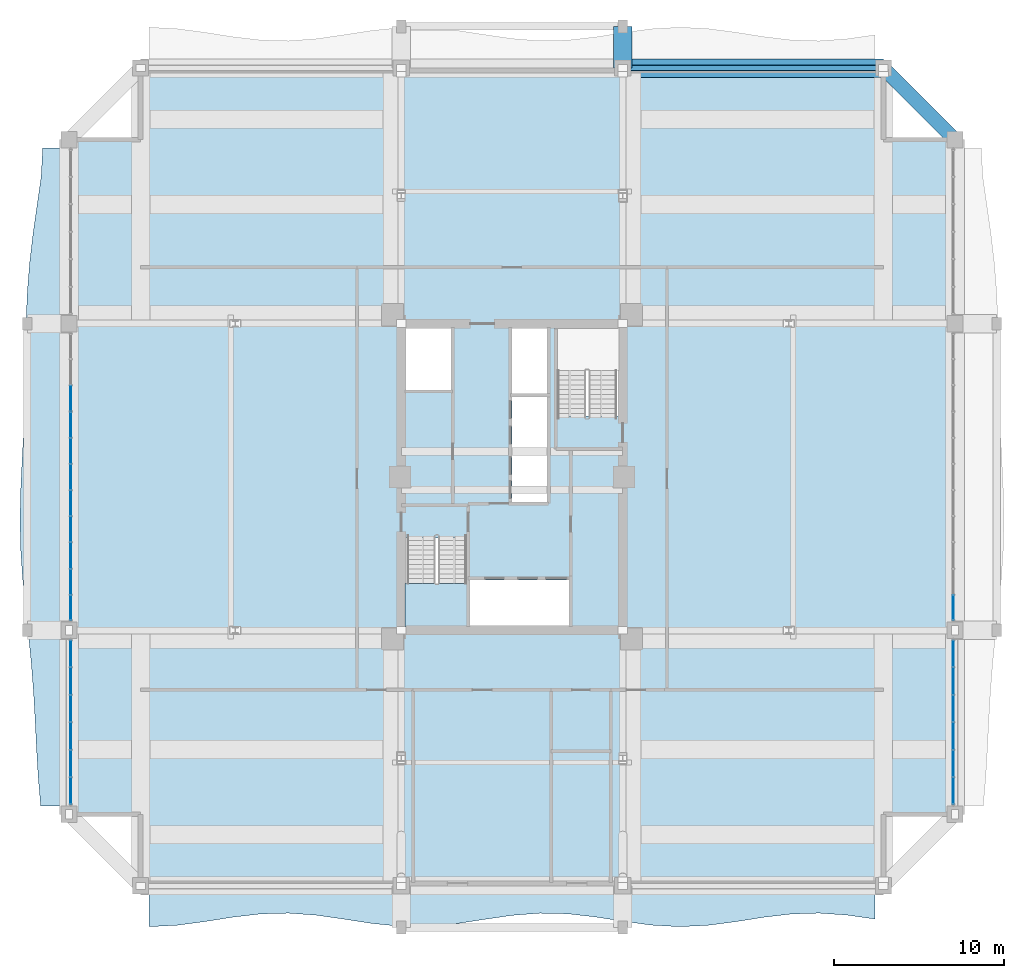
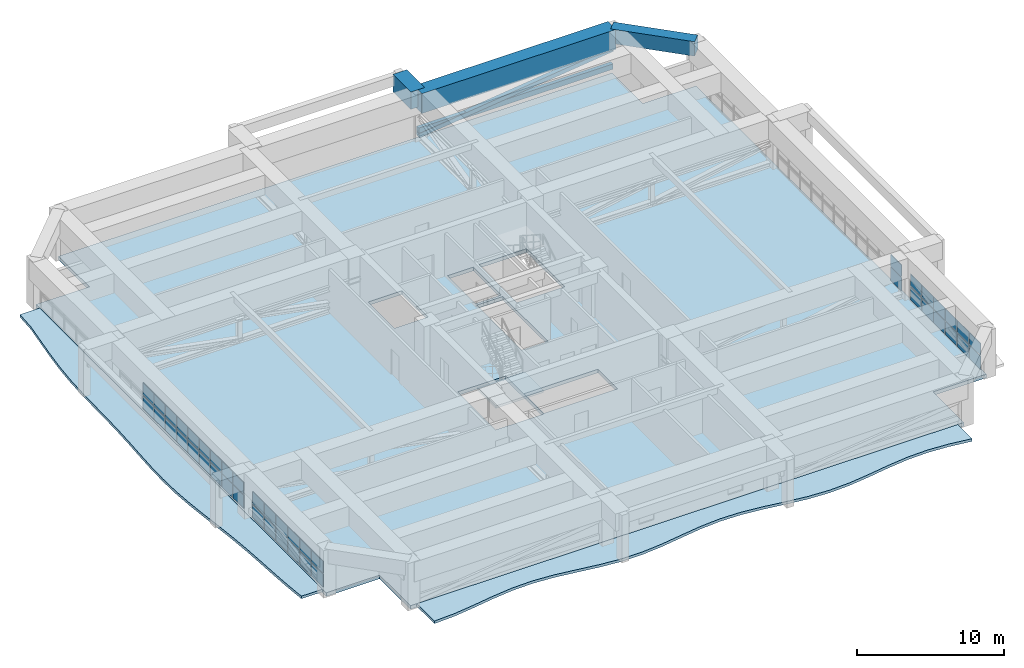
# One storey, part 26 of 35: 44 plates, 4 slabs, 3 beams, 2 members, 5 elements without a shape of their own.
"""IFC4 building model written with IfcOpenShell, lengths in metres."""

import ifcopenshell
import ifcopenshell.guid

model = None  # the IFC model being written
_history = None  # IfcOwnerHistory: only IFC2X3 demands one
_inside = {}  # id of a spatial element -> (the spatial element, [elements in it])
_under = {}  # id of a project, library or spatial element -> (it, [spatial elements below it])
_declared = {}  # id of a project -> (the project, [libraries it declares])
_typed = {}  # id of a type object -> (the type object, [elements of that type])
_made_of = {}  # id of a material, layer set ... -> (it, [elements and type objects made of it])


def new_model(schema):
    """Start an empty IFC model of exactly this schema.

    Asked for "IFC4X3", IfcOpenShell would pick the latest addendum, in which some entities
    have other attributes; the version numbers below select the first issue.
    IFC2X3 requires an IfcOwnerHistory on every rooted entity: one is made here for all.
    """
    global model, _history
    if schema == "IFC4X3":
        model = ifcopenshell.file(schema_version=(4, 3, 0, 0))
    else:
        model = ifcopenshell.file(schema=schema)
    _inside.clear()
    _under.clear()
    _declared.clear()
    _typed.clear()
    _made_of.clear()
    _history = None
    if model.schema == "IFC2X3":
        org = make("IfcOrganization", Name="unknown")
        user = make(
            "IfcPersonAndOrganization",
            ThePerson=make("IfcPerson", FamilyName="unknown"),
            TheOrganization=org,
        )
        app = make(
            "IfcApplication",
            ApplicationDeveloper=org,
            Version="unknown",
            ApplicationFullName="unknown",
            ApplicationIdentifier="unknown",
        )
        _history = make(
            "IfcOwnerHistory",
            OwningUser=user,
            OwningApplication=app,
            ChangeAction="ADDED",
            CreationDate=0,
        )
    return model


def make(cls, **values):
    """One entity of the class cls with the attributes given. An attribute that is None is left unset."""
    return model.create_entity(
        cls, **{name: value for name, value in values.items() if value is not None}
    )


def rooted(cls, **values):
    """An entity with a GlobalId (a new one), such as an element, a storey or a relation."""
    return make(cls, GlobalId=ifcopenshell.guid.new(), OwnerHistory=_history, **values)


def si_unit(unit_type, name, prefix=None):
    """IfcSIUnit, for example si_unit("LENGTHUNIT", "METRE", prefix="MILLI")."""
    return make("IfcSIUnit", UnitType=unit_type, Prefix=prefix, Name=name)


def assignment(units):
    """IfcUnitAssignment: the units of a project."""
    return None if units is None else make("IfcUnitAssignment", Units=units)


def point(xyz):
    """IfcCartesianPoint."""
    return None if xyz is None else make("IfcCartesianPoint", Coordinates=xyz)


def direction(xyz):
    """IfcDirection."""
    return None if xyz is None else make("IfcDirection", DirectionRatios=xyz)


def frame(location, z_axis=None, x_axis=None):
    """IfcAxis2Placement3D, a coordinate frame: its origin and axes. An axis left out is left unset."""
    return make(
        "IfcAxis2Placement3D",
        Location=point(location),
        Axis=direction(z_axis),
        RefDirection=direction(x_axis),
    )


def frame_2d(location, x_axis=None):
    """IfcAxis2Placement2D, a coordinate frame in the plane: its origin and x axis."""
    return make(
        "IfcAxis2Placement2D", Location=point(location), RefDirection=direction(x_axis)
    )


def origin():
    """The frame at (0, 0, 0) with its axes left unset."""
    return frame((0.0, 0.0, 0.0))


def origin_2d():
    """The frame at (0, 0) in the plane with its x axis left unset."""
    return frame_2d((0.0, 0.0))


def place(relative_to, where):
    """IfcLocalPlacement: puts the frame where relative to a parent placement (None: the world)."""
    return make(
        "IfcLocalPlacement", PlacementRelTo=relative_to, RelativePlacement=where
    )


def context(
    kind, dimensions, precision=None, world=None, true_north=None, identifier=None
):
    """IfcGeometricRepresentationContext, for example the 3D "Model" context."""
    return make(
        "IfcGeometricRepresentationContext",
        ContextIdentifier=identifier,
        ContextType=kind,
        CoordinateSpaceDimension=dimensions,
        Precision=precision,
        WorldCoordinateSystem=world,
        TrueNorth=true_north,
    )


def subcontext(parent, identifier, kind, view, scale=None):
    """IfcGeometricRepresentationSubContext, for example "Body" below "Model"."""
    return make(
        "IfcGeometricRepresentationSubContext",
        ContextIdentifier=identifier,
        ContextType=kind,
        ParentContext=parent,
        TargetScale=scale,
        TargetView=view,
    )


def project(units=None, contexts=None):
    """IfcProject with its units and contexts."""
    return rooted(
        "IfcProject",
        Name="project",
        RepresentationContexts=contexts,
        UnitsInContext=assignment(units),
    )


def spatial(cls, under=None, at=None, **own):
    """A site, building, storey or space (cls), placed at a placement, below another one or the project."""
    s = rooted(cls, ObjectPlacement=at, **own)
    if under is not None:
        _under.setdefault(under.id(), (under, []))[1].append(s)
    return s


def polyline(points):
    """IfcPolyline through the points."""
    return make("IfcPolyline", Points=[point(p) for p in points])


def profile(cls, at=None, kind="AREA", **sizes):
    """A parametric profile (cls). Its sizes go by their IFC names, for example OverallWidth=200.0."""
    return make(cls, ProfileType=kind, Position=at, **sizes)


def rectangle(**sizes):
    """IfcRectangleProfileDef."""
    return profile("IfcRectangleProfileDef", **sizes)


def hollow_rectangle(**sizes):
    """IfcRectangleHollowProfileDef."""
    return profile("IfcRectangleHollowProfileDef", **sizes)


def outline(outer, holes=None, kind="AREA"):
    """IfcArbitraryClosedProfileDef: a profile drawn as a closed curve; with holes, ...WithVoids."""
    if holes is None:
        return make("IfcArbitraryClosedProfileDef", ProfileType=kind, OuterCurve=outer)
    return make(
        "IfcArbitraryProfileDefWithVoids",
        ProfileType=kind,
        OuterCurve=outer,
        InnerCurves=holes,
    )


def extrude(swept, where, along, depth):
    """IfcExtrudedAreaSolid: the profile swept, set in the frame where, extruded along a direction by depth."""
    return make(
        "IfcExtrudedAreaSolid",
        SweptArea=swept,
        Position=where,
        ExtrudedDirection=direction(along),
        Depth=depth,
    )


def shape(context_of_items, identifier, shape_type, items):
    """IfcShapeRepresentation: the items that make up one representation, for example the "Body"."""
    return make(
        "IfcShapeRepresentation",
        ContextOfItems=context_of_items,
        RepresentationIdentifier=identifier,
        RepresentationType=shape_type,
        Items=items,
    )


def source(mapping_origin, context_of_items, identifier, shape_type, items):
    """IfcRepresentationMap: a shape defined once, which mapped items show again and again."""
    return make(
        "IfcRepresentationMap",
        MappingOrigin=mapping_origin,
        MappedRepresentation=shape(context_of_items, identifier, shape_type, items),
    )


def transform(
    local_origin,
    x_axis=None,
    y_axis=None,
    z_axis=None,
    scale=None,
    scale2=None,
    scale3=None,
    uniform=True,
):
    """IfcCartesianTransformationOperator3D, or its non-uniform kind. x_axis, y_axis, z_axis: its Axis1, 2, 3."""
    if uniform:
        return make(
            "IfcCartesianTransformationOperator3D",
            Axis1=direction(x_axis),
            Axis2=direction(y_axis),
            LocalOrigin=point(local_origin),
            Scale=scale,
            Axis3=direction(z_axis),
        )
    return make(
        "IfcCartesianTransformationOperator3DnonUniform",
        Axis1=direction(x_axis),
        Axis2=direction(y_axis),
        LocalOrigin=point(local_origin),
        Scale=scale,
        Axis3=direction(z_axis),
        Scale2=scale2,
        Scale3=scale3,
    )


def mapped(mapping_source, mapping_target):
    """IfcMappedItem: shows the shape of a source again, moved by a transform."""
    return make(
        "IfcMappedItem", MappingSource=mapping_source, MappingTarget=mapping_target
    )


def material(Name=None, Category=None):
    """IfcMaterial."""
    return make("IfcMaterial", Name=Name, Category=Category)


def layer(
    of_material, thickness, ventilated=None, Name=None, Category=None, Priority=None
):
    """IfcMaterialLayer: one layer of a wall or slab, of a material (None: an air gap)."""
    return make(
        "IfcMaterialLayer",
        Material=of_material,
        LayerThickness=thickness,
        IsVentilated=ventilated,
        Name=Name,
        Category=Category,
        Priority=Priority,
    )


def layer_set(layers, Name=None):
    """IfcMaterialLayerSet."""
    return make("IfcMaterialLayerSet", MaterialLayers=layers, LayerSetName=Name)


def material_profile(
    of_material, cross_section, Name=None, Category=None, Priority=None
):
    """IfcMaterialProfile: a cross section and its material."""
    return make(
        "IfcMaterialProfile",
        Name=Name,
        Material=of_material,
        Profile=cross_section,
        Priority=Priority,
        Category=Category,
    )


def profile_set(profiles, Name=None, composite=None):
    """IfcMaterialProfileSet."""
    return make(
        "IfcMaterialProfileSet",
        Name=Name,
        MaterialProfiles=profiles,
        CompositeProfile=composite,
    )


def made_of(thing, what):
    """Note that an element or type object is made of a material, layer set ...; save() writes the relation."""
    if what is not None:
        _made_of.setdefault(what.id(), (what, []))[1].append(thing)
    return thing


def type_object(cls, material=None, **own):
    """A type object (cls), such as IfcWallType, which elements share."""
    return made_of(rooted(cls, **own), material)


def element(
    cls,
    number,
    at=None,
    inside=None,
    cuts=None,
    type_object=None,
    material=None,
    context=None,
    identifier="Body",
    shape_type=None,
    held_by="IfcProductDefinitionShape",
    body=None,
    shapes=None,
    **own,
):
    """One element of the class cls, such as IfcWall. Its Tag is "e" and its number.

    at: its placement. inside: the storey or other place that contains it. cuts: it is an
    opening in that element (IfcRelVoidsElement). A single representation is given by context,
    identifier, shape_type and body (its items); several are given by shapes. held_by: the class
    of the entity that holds the representations. save() writes the other relations.
    """
    e = rooted(cls, Tag="e%d" % number, ObjectPlacement=at, **own)
    if body is not None:
        shapes = [shape(context, identifier, shape_type, body)]
    if shapes is not None:
        e.Representation = make(held_by, Representations=shapes)
    if inside is not None:
        _inside.setdefault(inside.id(), (inside, []))[1].append(e)
    if cuts is not None:
        rooted(
            "IfcRelVoidsElement", RelatingBuildingElement=cuts, RelatedOpeningElement=e
        )
    if type_object is not None:
        _typed.setdefault(type_object.id(), (type_object, []))[1].append(e)
    return made_of(e, material)


def aggregate(whole, parts):
    """IfcRelAggregates: a whole, such as a stair, and the parts it consists of."""
    return rooted("IfcRelAggregates", RelatingObject=whole, RelatedObjects=parts)


def save(model, path):
    """Write the relations noted so far, then the file.

    IfcRelAggregates (storeys below a building ...), IfcRelContainedInSpatialStructure (elements
    in a storey), IfcRelDefinesByType, IfcRelAssociatesMaterial and IfcRelDeclares: one each for
    every whole, place, type object, material and project.
    """
    for whole, parts in _under.values():
        aggregate(whole, parts)
    for where, things in _inside.values():
        rooted(
            "IfcRelContainedInSpatialStructure",
            RelatedElements=things,
            RelatingStructure=where,
        )
    for kind, things in _typed.values():
        rooted("IfcRelDefinesByType", RelatedObjects=things, RelatingType=kind)
    for what, things in _made_of.values():
        rooted("IfcRelAssociatesMaterial", RelatedObjects=things, RelatingMaterial=what)
    for by, libraries in _declared.values():
        rooted("IfcRelDeclares", RelatingContext=by, RelatedDefinitions=libraries)
    model.write(path)


model = new_model("IFC4")

# Units and contexts
model_context = context("Model", 3, precision=1e-05, world=origin(), true_north=direction((0.0, 1.0)))
body_context = subcontext(model_context, "Body", "Model", "MODEL_VIEW")
ifc_project = project(units=[si_unit("LENGTHUNIT", "METRE"), si_unit("AREAUNIT", "SQUARE_METRE"), si_unit("VOLUMEUNIT", "CUBIC_METRE"), si_unit("PLANEANGLEUNIT", "RADIAN"), si_unit("MASSUNIT", "GRAM", prefix="KILO")], contexts=[model_context])

# Site, building, storey
site_placement = place(None, origin())
site = spatial("IfcSite", under=ifc_project, at=site_placement, CompositionType="ELEMENT")
building_placement = place(site_placement, origin())
building = spatial("IfcBuilding", under=site, at=building_placement, Name="Saelheon Loggia Tower", CompositionType="ELEMENT")
storey_placement = place(building_placement, frame((0.0, 0.0, 144.75)))
storey = spatial("IfcBuildingStorey", under=building, at=storey_placement, Name="L46", CompositionType="ELEMENT", Elevation=144.75)

# Beams
ifc_material_1 = material(Name="Concrete C50/60", Category="concrete")
ifc_material_profile_1 = material_profile(ifc_material_1, rectangle(XDim=1.10009765625, YDim=1.449951171875, at=origin_2d()), Name="RC-1100x1450")
ifc_profile_set_1 = profile_set([ifc_material_profile_1], Name="Concrete C50/60")
beam_type_1 = type_object("IfcBeamType", Name="Beam_PerimTransfer_RC1100x1450", PredefinedType="BEAM", material=ifc_profile_set_1)
shared_shape_1 = source(origin(), body_context, "Body", "SweptSolid", [
    extrude(rectangle(XDim=1.10009765625, YDim=1.449951171875, at=origin_2d()), origin(), (0.0, 0.0, 1.0), 2.449951171875),
])
beam_1_placement = place(storey_placement, frame((44.5, 51.0, 3.22509765625), z_axis=(0.0, 1.0, 0.0), x_axis=(-1.0, 0.0, 0.0)))
element("IfcBeam", 1, at=beam_1_placement, inside=storey, type_object=beam_type_1, Name="L46 Loggia Frame Tie Beam LP-N2", PredefinedType="BEAM", context=body_context, shape_type="MappedRepresentation", body=[
    mapped(shared_shape_1, transform((0.0, 0.0, 0.0), scale=1.0)),
])
ifc_material_profile_2 = material_profile(ifc_material_1, rectangle(XDim=1.10009765625, YDim=1.64990234375, at=origin_2d()), Name="RC-1100x1650")
ifc_profile_set_2 = profile_set([ifc_material_profile_2], Name="Concrete C50/60")
beam_type_2 = type_object("IfcBeamType", Name="Beam_PerimMega_RC1100x1650", PredefinedType="BEAM", material=ifc_profile_set_2)
shared_shape_2 = source(origin(), body_context, "Body", "SweptSolid", [
    extrude(rectangle(XDim=1.10009765625, YDim=1.64990234375, at=origin_2d()), origin(), (0.0, 0.0, 1.0), 15.300048828125),
])
beam_2_placement = place(storey_placement, frame((59.800048828125, 51.0, 3.125), z_axis=(-1.0, 0.0, 0.0), x_axis=(0.0, -1.0, 0.0)))
element("IfcBeam", 2, at=beam_2_placement, inside=storey, type_object=beam_type_2, Name="L46 Perimeter Frame Girder 09", PredefinedType="BEAM", context=body_context, shape_type="MappedRepresentation", body=[
    mapped(shared_shape_2, transform((0.0, 0.0, 0.0), scale=1.0)),
])
ifc_material_profile_3 = material_profile(ifc_material_1, rectangle(XDim=0.85009765625, YDim=1.199951171875, at=origin_2d()), Name="RC-850x1200")
ifc_profile_set_3 = profile_set([ifc_material_profile_3], Name="Concrete C50/60")
beam_type_3 = type_object("IfcBeamType", Name="Beam_CornerShoulder_RC850x1200", PredefinedType="BEAM", material=ifc_profile_set_3)
shared_shape_3 = source(origin(), body_context, "Body", "SweptSolid", [
    extrude(rectangle(XDim=0.85009765625, YDim=1.199951171875, at=origin_2d()), origin(), (0.0, 0.0, 1.0), 5.939697265625),
])
beam_3_placement = place(storey_placement, frame((64.0, 46.800048828125, 3.35009765625), z_axis=(-0.707106781187, 0.707106781187, 0.0), x_axis=(-0.707106781187, -0.707106781187, 0.0)))
element("IfcBeam", 3, at=beam_3_placement, inside=storey, type_object=beam_type_3, Name="L46 Corner Shoulder Beam 08", PredefinedType="BEAM", context=body_context, shape_type="MappedRepresentation", body=[
    mapped(shared_shape_3, transform((0.0, 0.0, 0.0), scale=1.0)),
])

# Members
ifc_material_2 = material(Name="Steel SM355", Category="steel")
ifc_material_profile_4 = material_profile(ifc_material_2, hollow_rectangle(XDim=0.300048828125, YDim=0.449951171875, WallThickness=0.02001953125, at=origin_2d()), Name="RHS-450x300x20")
ifc_profile_set_4 = profile_set([ifc_material_profile_4], Name="Steel SM355")
member_type_1 = type_object("IfcMemberType", Name="Belt_Chord_RHS450", PredefinedType="CHORD", material=ifc_profile_set_4)
shared_shape_4 = source(origin(), body_context, "Body", "SweptSolid", [
    extrude(hollow_rectangle(XDim=0.300048828125, YDim=0.449951171875, WallThickness=0.02001953125, at=origin_2d()), origin(), (0.0, 0.0, 1.0), 15.300048828125),
])
member_1_placement = place(storey_placement, frame((44.5, 51.0, 0.6201171875), z_axis=(1.0, 0.0, 0.0), x_axis=(0.0, 1.0, 0.0)))
element("IfcMember", 4, at=member_1_placement, inside=storey, type_object=member_type_1, Name="L46 Belt Truss Chord BN2", PredefinedType="CHORD", context=body_context, shape_type="MappedRepresentation", body=[
    mapped(shared_shape_4, transform((0.0, 0.0, 0.0), scale=1.0)),
])
ifc_material_profile_5 = material_profile(ifc_material_2, hollow_rectangle(XDim=0.35009765625, YDim=0.35009765625, WallThickness=0.01611328125, at=origin_2d()), Name="RHS-350x350x16")
ifc_profile_set_5 = profile_set([ifc_material_profile_5], Name="Steel SM355")
member_type_2 = type_object("IfcMemberType", Name="Belt_Brace_RHS350", PredefinedType="BRACE", material=ifc_profile_set_5)
shared_shape_5 = source(origin(), body_context, "Body", "SweptSolid", [
    extrude(hollow_rectangle(XDim=0.35009765625, YDim=0.35009765625, WallThickness=0.01611328125, at=origin_2d()), origin(), (0.0, 0.0, 1.0), 15.41162109375),
])
member_2_placement = place(storey_placement, frame((44.5, 51.0, 0.219970703125), z_axis=(0.992768262654, 0.0, 0.120046560411), x_axis=(0.0, 1.0, 0.0)))
element("IfcMember", 5, at=member_2_placement, inside=storey, type_object=member_type_2, Name="L46 Belt Truss Brace BN2", PredefinedType="BRACE", context=body_context, shape_type="MappedRepresentation", body=[
    mapped(shared_shape_5, transform((0.0, 0.0, 0.0), scale=1.0)),
])

# Slabs
ifc_material_3 = material(Name="Concrete C45/55", Category="concrete")
ifc_layer_1 = layer(ifc_material_3, 0.219970703125)
ifc_layer_set_1 = layer_set([ifc_layer_1], Name="Concrete C45/55")
slab_type_1 = type_object("IfcSlabType", Name="Slab_RefugeTerrace_Ext_220", PredefinedType="FLOOR", material=ifc_layer_set_1)
slab_1_placement = place(storey_placement, frame((0.0, 0.0, -0.219970703125)))
element("IfcSlab", 6, at=slab_1_placement, inside=storey, type_object=slab_type_1, Name="L46 Open Refuge Terrace S", PredefinedType="FLOOR", context=body_context, shape_type="SweptSolid", body=[
    extrude(outline(polyline([(16.699951171875, 0.60009765625), (18.33837890625, 0.68408203125), (19.976806640625, 0.900634765625), (21.615478515625, 1.1591796875), (23.25390625, 1.3505859375), (24.892333984375, 1.39501953125), (26.53076171875, 1.2734375), (28.169189453125, 1.037109375), (29.8076171875, 0.78515625), (31.4462890625, 0.623291015625), (33.084716796875, 0.619873046875), (34.72314453125, 0.77587890625), (36.361572265625, 1.02587890625), (38.0, 1.26513671875), (39.638427734375, 1.39306640625), (41.27685546875, 1.35595703125), (42.915283203125, 1.169189453125), (44.5537109375, 0.91162109375), (46.1923828125, 0.69091796875), (47.830810546875, 0.60009765625), (49.46923828125, 0.67724609375), (51.107666015625, 0.889892578125), (52.74609375, 1.148681640625), (54.384521484375, 1.34521484375), (56.023193359375, 1.396484375), (57.66162109375, 1.281494140625), (59.300048828125, 1.048095703125), (59.300048828125, 3.0), (16.699951171875, 3.0), (16.699951171875, 0.60009765625)])), origin(), (0.0, 0.0, 1.0), 0.219970703125),
])
slab_2_placement = place(storey_placement, frame((0.0, 0.0, -0.219970703125)))
element("IfcSlab", 7, at=slab_2_placement, inside=storey, type_object=slab_type_1, Name="L46 Open Refuge Terrace W", PredefinedType="FLOOR", context=body_context, shape_type="SweptSolid", body=[
    extrude(outline(polyline([(12.0, 7.699951171875), (12.0, 46.300048828125), (10.449951171875, 46.300048828125), (10.360107421875, 44.62158203125), (10.11962890625, 42.943603515625), (9.882568359375, 41.26513671875), (9.68505859375, 39.5869140625), (9.550537109375, 37.90869140625), (9.4794921875, 36.23046875), (9.4501953125, 34.55224609375), (9.430908203125, 32.873779296875), (9.39208984375, 31.19580078125), (9.322509765625, 29.517333984375), (9.2333984375, 27.839111328125), (9.154052734375, 26.160888671875), (9.119384765625, 24.482666015625), (9.154541015625, 22.80419921875), (9.26318359375, 21.126220703125), (9.426513671875, 19.44775390625), (9.609619140625, 17.76953125), (9.77783203125, 16.09130859375), (9.9091796875, 14.4130859375), (10.0048828125, 12.73486328125), (10.086669921875, 11.056396484375), (10.186279296875, 9.37841796875), (10.330078125, 7.699951171875), (12.0, 7.699951171875)])), origin(), (0.0, 0.0, 1.0), 0.219970703125),
])
ifc_layer_2 = layer(ifc_material_1, 0.300048828125)
ifc_layer_set_2 = layer_set([ifc_layer_2], Name="Concrete C50/60")
slab_type_2 = type_object("IfcSlabType", Name="Slab_Refuge_300", PredefinedType="FLOOR", material=ifc_layer_set_2)
slab_3_placement = place(storey_placement, frame((0.0, 0.0, -0.300048828125)))
element("IfcSlab", 8, at=slab_3_placement, inside=storey, type_object=slab_type_2, Name="L46 Tower Floor Slab", PredefinedType="FLOOR", context=body_context, shape_type="SweptSolid", body=[
    extrude(outline(polyline([(16.199951171875, 3.0), (59.800048828125, 3.0), (59.800048828125, 7.199951171875), (64.0, 7.199951171875), (64.0, 46.800048828125), (59.800048828125, 46.800048828125), (59.800048828125, 51.0), (16.199951171875, 51.0), (16.199951171875, 46.800048828125), (12.0, 46.800048828125), (12.0, 7.199951171875), (16.199951171875, 7.199951171875), (16.199951171875, 3.0)]), holes=[polyline([(31.699951171875, 23.409912109375), (31.699951171875, 18.199951171875), (35.47998046875, 18.199951171875), (35.47998046875, 23.409912109375), (31.699951171875, 23.409912109375)]), polyline([(44.300048828125, 30.590087890625), (44.300048828125, 35.800048828125), (40.52001953125, 35.800048828125), (40.52001953125, 30.590087890625), (44.300048828125, 30.590087890625)]), polyline([(35.530029296875, 18.27490234375), (41.35009765625, 18.27490234375), (41.35009765625, 20.9599609375), (35.530029296875, 20.9599609375), (35.530029296875, 18.27490234375)]), polyline([(31.77490234375, 32.1201171875), (34.419921875, 32.1201171875), (34.419921875, 35.72509765625), (31.77490234375, 35.72509765625), (31.77490234375, 32.1201171875)]), polyline([(38.0, 31.89990234375), (40.050048828125, 31.89990234375), (40.050048828125, 35.72509765625), (38.0, 35.72509765625), (38.0, 31.89990234375)]), polyline([(38.0, 25.5400390625), (40.050048828125, 25.5400390625), (40.050048828125, 31.699951171875), (38.0, 31.699951171875), (38.0, 25.5400390625)])]), origin(), (0.0, 0.0, 1.0), 0.300048828125),
])

# Stair, slab
ifc_material_4 = material(Name="Concrete C40/50", Category="concrete")
stair_type = type_object("IfcStairType", Name="Stair_Escape_Core", PredefinedType="HALF_TURN_STAIR", material=ifc_material_4)
stair_placement = place(storey_placement, origin())
stair = element("IfcStair", 9, at=stair_placement, inside=storey, type_object=stair_type, Name="L46 Special Escape Stair ST1", PredefinedType="HALF_TURN_STAIR")
ifc_layer_3 = layer(ifc_material_4, 0.199951171875)
ifc_layer_set_3 = layer_set([ifc_layer_3], Name="Concrete C40/50")
slab_type_3 = type_object("IfcSlabType", Name="Slab_StairLanding_ST1", PredefinedType="LANDING", material=ifc_layer_set_3)
slab_4_placement = place(storey_placement, frame((0.0, 0.0, 1.77490234375)))
slab_4 = element("IfcSlab", 10, at=slab_4_placement, type_object=slab_type_3, Name="ST1 landing 1", PredefinedType="LANDING", context=body_context, shape_type="SweptSolid", body=[
    extrude(outline(polyline([(31.7099609375, 20.75), (31.7099609375, 18.2099609375), (35.469970703125, 18.2099609375), (35.469970703125, 20.75), (31.7099609375, 20.75)])), origin(), (0.0, 0.0, 1.0), 0.2001953125),
])
aggregate(stair, [slab_4])

# Curtain wall, plate
ifc_material_5 = material(Name="Anodised Aluminium Acoustic Louvre Curtain Wall", Category="aluminium")
ifc_layer_4 = layer(ifc_material_5, 0.179931640625)
ifc_layer_set_4 = layer_set([ifc_layer_4], Name="Anodised Aluminium Acoustic Louvre Curtain Wall")
curtain_wall_type = type_object("IfcCurtainWallType", Name="CW_RefugeAcoustic", PredefinedType="NOTDEFINED", material=ifc_layer_set_4)
curtain_wall_1_placement = place(storey_placement, origin())
curtain_wall_1 = element("IfcCurtainWall", 11, at=curtain_wall_1_placement, inside=storey, type_object=curtain_wall_type, Name="L46 W Refuge Acoustic Curtain Wall 2", PredefinedType="NOTDEFINED")
ifc_material_6 = material(Name="Triple Low-E Laminated Glazing", Category="glass")
ifc_layer_5 = layer(ifc_material_6, 0.0400390625)
ifc_layer_set_5 = layer_set([ifc_layer_5], Name="Triple Low-E Laminated Glazing")
plate_type = type_object("IfcPlateType", Name="CW_RefugeAcoustic_Panel", PredefinedType="CURTAIN_PANEL", material=ifc_layer_set_5)
shared_shape_6 = source(origin(), body_context, "Body", "SweptSolid", [
    extrude(rectangle(XDim=1.43896484375, YDim=0.0400390625, at=origin_2d()), origin(), (0.0, 0.0, 1.0), 1.1025390625),
])
plate_1_placement = place(storey_placement, frame((12.10009765625, 19.33447265625, 0.06494140625), z_axis=(0.0, 0.0, 1.0), x_axis=(0.0, 1.0, 0.0)))
plate_1 = element("IfcPlate", 12, at=plate_1_placement, type_object=plate_type, Name="CW5 panel 1.1", PredefinedType="CURTAIN_PANEL", context=body_context, shape_type="MappedRepresentation", body=[
    mapped(shared_shape_6, transform((0.0, 0.0, 0.0), scale=1.0)),
])

curtain_wall_2_placement = place(storey_placement, origin())
curtain_wall_2 = element("IfcCurtainWall", 13, at=curtain_wall_2_placement, inside=storey, type_object=curtain_wall_type, Name="L46 E Refuge Acoustic Curtain Wall 2", PredefinedType="NOTDEFINED")
plate_2_placement = place(storey_placement, frame((63.89990234375, 19.33447265625, 0.06494140625), z_axis=(0.0, 0.0, 1.0), x_axis=(0.0, 1.0, 0.0)))
plate_2 = element("IfcPlate", 14, at=plate_2_placement, type_object=plate_type, Name="CW5 panel 1.1", PredefinedType="CURTAIN_PANEL", context=body_context, shape_type="MappedRepresentation", body=[
    mapped(shared_shape_6, transform((0.0, 0.0, 0.0), scale=1.0)),
])

# Plate
shared_shape_7 = source(origin(), body_context, "Body", "SweptSolid", [
    extrude(rectangle(XDim=1.43896484375, YDim=0.0400390625, at=origin_2d()), origin(), (0.0, 0.0, 1.0), 0.992431640625),
])
plate_3_placement = place(storey_placement, frame((12.10009765625, 19.33447265625, 1.232421875), z_axis=(0.0, 0.0, 1.0), x_axis=(0.0, 1.0, 0.0)))
plate_3 = element("IfcPlate", 15, at=plate_3_placement, type_object=plate_type, Name="CW5 panel 1.2", PredefinedType="CURTAIN_PANEL", context=body_context, shape_type="MappedRepresentation", body=[
    mapped(shared_shape_7, transform((0.0, 0.0, 0.0), scale=1.0)),
])

plate_4_placement = place(storey_placement, frame((63.89990234375, 19.33447265625, 1.232421875), z_axis=(0.0, 0.0, 1.0), x_axis=(0.0, 1.0, 0.0)))
plate_4 = element("IfcPlate", 16, at=plate_4_placement, type_object=plate_type, Name="CW5 panel 1.2", PredefinedType="CURTAIN_PANEL", context=body_context, shape_type="MappedRepresentation", body=[
    mapped(shared_shape_7, transform((0.0, 0.0, 0.0), scale=1.0)),
])

aggregate(curtain_wall_2, [plate_2, plate_4])

shared_shape_8 = source(origin(), body_context, "Body", "SweptSolid", [
    extrude(rectangle(XDim=1.471435546875, YDim=0.0400390625, at=origin_2d()), origin(), (0.0, 0.0, 1.0), 1.1025390625),
])
plate_5_placement = place(storey_placement, frame((12.10009765625, 20.8544921875, 0.06494140625), z_axis=(0.0, 0.0, 1.0), x_axis=(0.0, 1.0, 0.0)))
plate_5 = element("IfcPlate", 17, at=plate_5_placement, type_object=plate_type, Name="CW5 panel 2.1", PredefinedType="CURTAIN_PANEL", context=body_context, shape_type="MappedRepresentation", body=[
    mapped(shared_shape_8, transform((0.0, 0.0, 0.0), scale=1.0)),
])

plate_6_placement = place(storey_placement, frame((12.10009765625, 22.390869140625, 0.06494140625), z_axis=(0.0, 0.0, 1.0), x_axis=(0.0, 1.0, 0.0)))
plate_6 = element("IfcPlate", 18, at=plate_6_placement, type_object=plate_type, Name="CW5 panel 3.1", PredefinedType="CURTAIN_PANEL", context=body_context, shape_type="MappedRepresentation", body=[
    mapped(shared_shape_8, transform((0.0, 0.0, 0.0), scale=1.0)),
])

plate_7_placement = place(storey_placement, frame((12.10009765625, 23.92724609375, 0.06494140625), z_axis=(0.0, 0.0, 1.0), x_axis=(0.0, 1.0, 0.0)))
plate_7 = element("IfcPlate", 19, at=plate_7_placement, type_object=plate_type, Name="CW5 panel 4.1", PredefinedType="CURTAIN_PANEL", context=body_context, shape_type="MappedRepresentation", body=[
    mapped(shared_shape_8, transform((0.0, 0.0, 0.0), scale=1.0)),
])

plate_8_placement = place(storey_placement, frame((12.10009765625, 25.463623046875, 0.06494140625), z_axis=(0.0, 0.0, 1.0), x_axis=(0.0, 1.0, 0.0)))
plate_8 = element("IfcPlate", 20, at=plate_8_placement, type_object=plate_type, Name="CW5 panel 5.1", PredefinedType="CURTAIN_PANEL", context=body_context, shape_type="MappedRepresentation", body=[
    mapped(shared_shape_8, transform((0.0, 0.0, 0.0), scale=1.0)),
])

plate_9_placement = place(storey_placement, frame((12.10009765625, 27.0, 0.06494140625), z_axis=(0.0, 0.0, 1.0), x_axis=(0.0, 1.0, 0.0)))
plate_9 = element("IfcPlate", 21, at=plate_9_placement, type_object=plate_type, Name="CW5 panel 6.1", PredefinedType="CURTAIN_PANEL", context=body_context, shape_type="MappedRepresentation", body=[
    mapped(shared_shape_8, transform((0.0, 0.0, 0.0), scale=1.0)),
])

plate_10_placement = place(storey_placement, frame((12.10009765625, 28.536376953125, 0.06494140625), z_axis=(0.0, 0.0, 1.0), x_axis=(0.0, 1.0, 0.0)))
plate_10 = element("IfcPlate", 22, at=plate_10_placement, type_object=plate_type, Name="CW5 panel 7.1", PredefinedType="CURTAIN_PANEL", context=body_context, shape_type="MappedRepresentation", body=[
    mapped(shared_shape_8, transform((0.0, 0.0, 0.0), scale=1.0)),
])

plate_11_placement = place(storey_placement, frame((12.10009765625, 30.07275390625, 0.06494140625), z_axis=(0.0, 0.0, 1.0), x_axis=(0.0, 1.0, 0.0)))
plate_11 = element("IfcPlate", 23, at=plate_11_placement, type_object=plate_type, Name="CW5 panel 8.1", PredefinedType="CURTAIN_PANEL", context=body_context, shape_type="MappedRepresentation", body=[
    mapped(shared_shape_8, transform((0.0, 0.0, 0.0), scale=1.0)),
])

plate_12_placement = place(storey_placement, frame((12.10009765625, 31.609130859375, 0.06494140625), z_axis=(0.0, 0.0, 1.0), x_axis=(0.0, 1.0, 0.0)))
plate_12 = element("IfcPlate", 24, at=plate_12_placement, type_object=plate_type, Name="CW5 panel 9.1", PredefinedType="CURTAIN_PANEL", context=body_context, shape_type="MappedRepresentation", body=[
    mapped(shared_shape_8, transform((0.0, 0.0, 0.0), scale=1.0)),
])

shared_shape_9 = source(origin(), body_context, "Body", "SweptSolid", [
    extrude(rectangle(XDim=1.471435546875, YDim=0.0400390625, at=origin_2d()), origin(), (0.0, 0.0, 1.0), 0.992431640625),
])
plate_13_placement = place(storey_placement, frame((12.10009765625, 20.8544921875, 1.232421875), z_axis=(0.0, 0.0, 1.0), x_axis=(0.0, 1.0, 0.0)))
plate_13 = element("IfcPlate", 25, at=plate_13_placement, type_object=plate_type, Name="CW5 panel 2.2", PredefinedType="CURTAIN_PANEL", context=body_context, shape_type="MappedRepresentation", body=[
    mapped(shared_shape_9, transform((0.0, 0.0, 0.0), scale=1.0)),
])

plate_14_placement = place(storey_placement, frame((12.10009765625, 22.390869140625, 1.232421875), z_axis=(0.0, 0.0, 1.0), x_axis=(0.0, 1.0, 0.0)))
plate_14 = element("IfcPlate", 26, at=plate_14_placement, type_object=plate_type, Name="CW5 panel 3.2", PredefinedType="CURTAIN_PANEL", context=body_context, shape_type="MappedRepresentation", body=[
    mapped(shared_shape_9, transform((0.0, 0.0, 0.0), scale=1.0)),
])

plate_15_placement = place(storey_placement, frame((12.10009765625, 23.92724609375, 1.232421875), z_axis=(0.0, 0.0, 1.0), x_axis=(0.0, 1.0, 0.0)))
plate_15 = element("IfcPlate", 27, at=plate_15_placement, type_object=plate_type, Name="CW5 panel 4.2", PredefinedType="CURTAIN_PANEL", context=body_context, shape_type="MappedRepresentation", body=[
    mapped(shared_shape_9, transform((0.0, 0.0, 0.0), scale=1.0)),
])

plate_16_placement = place(storey_placement, frame((12.10009765625, 25.463623046875, 1.232421875), z_axis=(0.0, 0.0, 1.0), x_axis=(0.0, 1.0, 0.0)))
plate_16 = element("IfcPlate", 28, at=plate_16_placement, type_object=plate_type, Name="CW5 panel 5.2", PredefinedType="CURTAIN_PANEL", context=body_context, shape_type="MappedRepresentation", body=[
    mapped(shared_shape_9, transform((0.0, 0.0, 0.0), scale=1.0)),
])

plate_17_placement = place(storey_placement, frame((12.10009765625, 27.0, 1.232421875), z_axis=(0.0, 0.0, 1.0), x_axis=(0.0, 1.0, 0.0)))
plate_17 = element("IfcPlate", 29, at=plate_17_placement, type_object=plate_type, Name="CW5 panel 6.2", PredefinedType="CURTAIN_PANEL", context=body_context, shape_type="MappedRepresentation", body=[
    mapped(shared_shape_9, transform((0.0, 0.0, 0.0), scale=1.0)),
])

plate_18_placement = place(storey_placement, frame((12.10009765625, 28.536376953125, 1.232421875), z_axis=(0.0, 0.0, 1.0), x_axis=(0.0, 1.0, 0.0)))
plate_18 = element("IfcPlate", 30, at=plate_18_placement, type_object=plate_type, Name="CW5 panel 7.2", PredefinedType="CURTAIN_PANEL", context=body_context, shape_type="MappedRepresentation", body=[
    mapped(shared_shape_9, transform((0.0, 0.0, 0.0), scale=1.0)),
])

plate_19_placement = place(storey_placement, frame((12.10009765625, 30.07275390625, 1.232421875), z_axis=(0.0, 0.0, 1.0), x_axis=(0.0, 1.0, 0.0)))
plate_19 = element("IfcPlate", 31, at=plate_19_placement, type_object=plate_type, Name="CW5 panel 8.2", PredefinedType="CURTAIN_PANEL", context=body_context, shape_type="MappedRepresentation", body=[
    mapped(shared_shape_9, transform((0.0, 0.0, 0.0), scale=1.0)),
])

plate_20_placement = place(storey_placement, frame((12.10009765625, 31.609130859375, 1.232421875), z_axis=(0.0, 0.0, 1.0), x_axis=(0.0, 1.0, 0.0)))
plate_20 = element("IfcPlate", 32, at=plate_20_placement, type_object=plate_type, Name="CW5 panel 9.2", PredefinedType="CURTAIN_PANEL", context=body_context, shape_type="MappedRepresentation", body=[
    mapped(shared_shape_9, transform((0.0, 0.0, 0.0), scale=1.0)),
])

aggregate(curtain_wall_1, [plate_1, plate_3, plate_5, plate_13, plate_6, plate_14, plate_7, plate_15, plate_8, plate_16, plate_9, plate_17, plate_10, plate_18, plate_11, plate_19, plate_12, plate_20])

# Curtain wall, plates
curtain_wall_3_placement = place(storey_placement, origin())
curtain_wall_3 = element("IfcCurtainWall", 33, at=curtain_wall_3_placement, inside=storey, type_object=curtain_wall_type, Name="L46 W Refuge Acoustic Curtain Wall 1", PredefinedType="NOTDEFINED")
shared_shape_10 = source(origin(), body_context, "Body", "SweptSolid", [
    extrude(rectangle(XDim=1.519287109375, YDim=0.0400390625, at=origin_2d()), origin(), (0.0, 0.0, 1.0), 1.1025390625),
])
plate_21_placement = place(storey_placement, frame((12.10009765625, 8.574462890625, 0.06494140625), z_axis=(0.0, 0.0, 1.0), x_axis=(0.0, 1.0, 0.0)))
plate_21 = element("IfcPlate", 34, at=plate_21_placement, type_object=plate_type, Name="CW5 panel 1.1", PredefinedType="CURTAIN_PANEL", context=body_context, shape_type="MappedRepresentation", body=[
    mapped(shared_shape_10, transform((0.0, 0.0, 0.0), scale=1.0)),
])
plate_22_placement = place(storey_placement, frame((12.10009765625, 16.62548828125, 0.06494140625), z_axis=(0.0, 0.0, 1.0), x_axis=(0.0, 1.0, 0.0)))
plate_22 = element("IfcPlate", 35, at=plate_22_placement, type_object=plate_type, Name="CW5 panel 6.1", PredefinedType="CURTAIN_PANEL", context=body_context, shape_type="MappedRepresentation", body=[
    mapped(shared_shape_10, transform((0.0, 0.0, 0.0), scale=1.0)),
])

curtain_wall_4_placement = place(storey_placement, origin())
curtain_wall_4 = element("IfcCurtainWall", 36, at=curtain_wall_4_placement, inside=storey, type_object=curtain_wall_type, Name="L46 E Refuge Acoustic Curtain Wall 1", PredefinedType="NOTDEFINED")
plate_23_placement = place(storey_placement, frame((63.89990234375, 8.574462890625, 0.06494140625), z_axis=(0.0, 0.0, 1.0), x_axis=(0.0, 1.0, 0.0)))
plate_23 = element("IfcPlate", 37, at=plate_23_placement, type_object=plate_type, Name="CW5 panel 1.1", PredefinedType="CURTAIN_PANEL", context=body_context, shape_type="MappedRepresentation", body=[
    mapped(shared_shape_10, transform((0.0, 0.0, 0.0), scale=1.0)),
])
plate_24_placement = place(storey_placement, frame((63.89990234375, 16.62548828125, 0.06494140625), z_axis=(0.0, 0.0, 1.0), x_axis=(0.0, 1.0, 0.0)))
plate_24 = element("IfcPlate", 38, at=plate_24_placement, type_object=plate_type, Name="CW5 panel 6.1", PredefinedType="CURTAIN_PANEL", context=body_context, shape_type="MappedRepresentation", body=[
    mapped(shared_shape_10, transform((0.0, 0.0, 0.0), scale=1.0)),
])

# Plate
shared_shape_11 = source(origin(), body_context, "Body", "SweptSolid", [
    extrude(rectangle(XDim=1.519287109375, YDim=0.0400390625, at=origin_2d()), origin(), (0.0, 0.0, 1.0), 0.992431640625),
])
plate_25_placement = place(storey_placement, frame((12.10009765625, 8.574462890625, 1.232421875), z_axis=(0.0, 0.0, 1.0), x_axis=(0.0, 1.0, 0.0)))
plate_25 = element("IfcPlate", 39, at=plate_25_placement, type_object=plate_type, Name="CW5 panel 1.2", PredefinedType="CURTAIN_PANEL", context=body_context, shape_type="MappedRepresentation", body=[
    mapped(shared_shape_11, transform((0.0, 0.0, 0.0), scale=1.0)),
])

plate_26_placement = place(storey_placement, frame((12.10009765625, 16.62548828125, 1.232421875), z_axis=(0.0, 0.0, 1.0), x_axis=(0.0, 1.0, 0.0)))
plate_26 = element("IfcPlate", 40, at=plate_26_placement, type_object=plate_type, Name="CW5 panel 6.2", PredefinedType="CURTAIN_PANEL", context=body_context, shape_type="MappedRepresentation", body=[
    mapped(shared_shape_11, transform((0.0, 0.0, 0.0), scale=1.0)),
])

plate_27_placement = place(storey_placement, frame((63.89990234375, 8.574462890625, 1.232421875), z_axis=(0.0, 0.0, 1.0), x_axis=(0.0, 1.0, 0.0)))
plate_27 = element("IfcPlate", 41, at=plate_27_placement, type_object=plate_type, Name="CW5 panel 1.2", PredefinedType="CURTAIN_PANEL", context=body_context, shape_type="MappedRepresentation", body=[
    mapped(shared_shape_11, transform((0.0, 0.0, 0.0), scale=1.0)),
])

plate_28_placement = place(storey_placement, frame((63.89990234375, 16.62548828125, 1.232421875), z_axis=(0.0, 0.0, 1.0), x_axis=(0.0, 1.0, 0.0)))
plate_28 = element("IfcPlate", 42, at=plate_28_placement, type_object=plate_type, Name="CW5 panel 6.2", PredefinedType="CURTAIN_PANEL", context=body_context, shape_type="MappedRepresentation", body=[
    mapped(shared_shape_11, transform((0.0, 0.0, 0.0), scale=1.0)),
])

shared_shape_12 = source(origin(), body_context, "Body", "SweptSolid", [
    extrude(rectangle(XDim=1.5517578125, YDim=0.0400390625, at=origin_2d()), origin(), (0.0, 0.0, 1.0), 1.1025390625),
])
plate_29_placement = place(storey_placement, frame((12.10009765625, 10.175048828125, 0.06494140625), z_axis=(0.0, 0.0, 1.0), x_axis=(0.0, 1.0, 0.0)))
plate_29 = element("IfcPlate", 43, at=plate_29_placement, type_object=plate_type, Name="CW5 panel 2.1", PredefinedType="CURTAIN_PANEL", context=body_context, shape_type="MappedRepresentation", body=[
    mapped(shared_shape_12, transform((0.0, 0.0, 0.0), scale=1.0)),
])

plate_30_placement = place(storey_placement, frame((12.10009765625, 11.791748046875, 0.06494140625), z_axis=(0.0, 0.0, 1.0), x_axis=(0.0, 1.0, 0.0)))
plate_30 = element("IfcPlate", 44, at=plate_30_placement, type_object=plate_type, Name="CW5 panel 3.1", PredefinedType="CURTAIN_PANEL", context=body_context, shape_type="MappedRepresentation", body=[
    mapped(shared_shape_12, transform((0.0, 0.0, 0.0), scale=1.0)),
])

plate_31_placement = place(storey_placement, frame((12.10009765625, 13.408447265625, 0.06494140625), z_axis=(0.0, 0.0, 1.0), x_axis=(0.0, 1.0, 0.0)))
plate_31 = element("IfcPlate", 45, at=plate_31_placement, type_object=plate_type, Name="CW5 panel 4.1", PredefinedType="CURTAIN_PANEL", context=body_context, shape_type="MappedRepresentation", body=[
    mapped(shared_shape_12, transform((0.0, 0.0, 0.0), scale=1.0)),
])

plate_32_placement = place(storey_placement, frame((12.10009765625, 15.02490234375, 0.06494140625), z_axis=(0.0, 0.0, 1.0), x_axis=(0.0, 1.0, 0.0)))
plate_32 = element("IfcPlate", 46, at=plate_32_placement, type_object=plate_type, Name="CW5 panel 5.1", PredefinedType="CURTAIN_PANEL", context=body_context, shape_type="MappedRepresentation", body=[
    mapped(shared_shape_12, transform((0.0, 0.0, 0.0), scale=1.0)),
])

plate_33_placement = place(storey_placement, frame((63.89990234375, 10.175048828125, 0.06494140625), z_axis=(0.0, 0.0, 1.0), x_axis=(0.0, 1.0, 0.0)))
plate_33 = element("IfcPlate", 47, at=plate_33_placement, type_object=plate_type, Name="CW5 panel 2.1", PredefinedType="CURTAIN_PANEL", context=body_context, shape_type="MappedRepresentation", body=[
    mapped(shared_shape_12, transform((0.0, 0.0, 0.0), scale=1.0)),
])

plate_34_placement = place(storey_placement, frame((63.89990234375, 11.791748046875, 0.06494140625), z_axis=(0.0, 0.0, 1.0), x_axis=(0.0, 1.0, 0.0)))
plate_34 = element("IfcPlate", 48, at=plate_34_placement, type_object=plate_type, Name="CW5 panel 3.1", PredefinedType="CURTAIN_PANEL", context=body_context, shape_type="MappedRepresentation", body=[
    mapped(shared_shape_12, transform((0.0, 0.0, 0.0), scale=1.0)),
])

plate_35_placement = place(storey_placement, frame((63.89990234375, 13.408447265625, 0.06494140625), z_axis=(0.0, 0.0, 1.0), x_axis=(0.0, 1.0, 0.0)))
plate_35 = element("IfcPlate", 49, at=plate_35_placement, type_object=plate_type, Name="CW5 panel 4.1", PredefinedType="CURTAIN_PANEL", context=body_context, shape_type="MappedRepresentation", body=[
    mapped(shared_shape_12, transform((0.0, 0.0, 0.0), scale=1.0)),
])

plate_36_placement = place(storey_placement, frame((63.89990234375, 15.02490234375, 0.06494140625), z_axis=(0.0, 0.0, 1.0), x_axis=(0.0, 1.0, 0.0)))
plate_36 = element("IfcPlate", 50, at=plate_36_placement, type_object=plate_type, Name="CW5 panel 5.1", PredefinedType="CURTAIN_PANEL", context=body_context, shape_type="MappedRepresentation", body=[
    mapped(shared_shape_12, transform((0.0, 0.0, 0.0), scale=1.0)),
])

shared_shape_13 = source(origin(), body_context, "Body", "SweptSolid", [
    extrude(rectangle(XDim=1.5517578125, YDim=0.0400390625, at=origin_2d()), origin(), (0.0, 0.0, 1.0), 0.992431640625),
])
plate_37_placement = place(storey_placement, frame((12.10009765625, 10.175048828125, 1.232421875), z_axis=(0.0, 0.0, 1.0), x_axis=(0.0, 1.0, 0.0)))
plate_37 = element("IfcPlate", 51, at=plate_37_placement, type_object=plate_type, Name="CW5 panel 2.2", PredefinedType="CURTAIN_PANEL", context=body_context, shape_type="MappedRepresentation", body=[
    mapped(shared_shape_13, transform((0.0, 0.0, 0.0), scale=1.0)),
])

plate_38_placement = place(storey_placement, frame((12.10009765625, 11.791748046875, 1.232421875), z_axis=(0.0, 0.0, 1.0), x_axis=(0.0, 1.0, 0.0)))
plate_38 = element("IfcPlate", 52, at=plate_38_placement, type_object=plate_type, Name="CW5 panel 3.2", PredefinedType="CURTAIN_PANEL", context=body_context, shape_type="MappedRepresentation", body=[
    mapped(shared_shape_13, transform((0.0, 0.0, 0.0), scale=1.0)),
])

plate_39_placement = place(storey_placement, frame((12.10009765625, 13.408447265625, 1.232421875), z_axis=(0.0, 0.0, 1.0), x_axis=(0.0, 1.0, 0.0)))
plate_39 = element("IfcPlate", 53, at=plate_39_placement, type_object=plate_type, Name="CW5 panel 4.2", PredefinedType="CURTAIN_PANEL", context=body_context, shape_type="MappedRepresentation", body=[
    mapped(shared_shape_13, transform((0.0, 0.0, 0.0), scale=1.0)),
])

plate_40_placement = place(storey_placement, frame((12.10009765625, 15.02490234375, 1.232421875), z_axis=(0.0, 0.0, 1.0), x_axis=(0.0, 1.0, 0.0)))
plate_40 = element("IfcPlate", 54, at=plate_40_placement, type_object=plate_type, Name="CW5 panel 5.2", PredefinedType="CURTAIN_PANEL", context=body_context, shape_type="MappedRepresentation", body=[
    mapped(shared_shape_13, transform((0.0, 0.0, 0.0), scale=1.0)),
])

aggregate(curtain_wall_3, [plate_21, plate_25, plate_29, plate_37, plate_30, plate_38, plate_31, plate_39, plate_32, plate_40, plate_22, plate_26])

plate_41_placement = place(storey_placement, frame((63.89990234375, 10.175048828125, 1.232421875), z_axis=(0.0, 0.0, 1.0), x_axis=(0.0, 1.0, 0.0)))
plate_41 = element("IfcPlate", 55, at=plate_41_placement, type_object=plate_type, Name="CW5 panel 2.2", PredefinedType="CURTAIN_PANEL", context=body_context, shape_type="MappedRepresentation", body=[
    mapped(shared_shape_13, transform((0.0, 0.0, 0.0), scale=1.0)),
])

plate_42_placement = place(storey_placement, frame((63.89990234375, 11.791748046875, 1.232421875), z_axis=(0.0, 0.0, 1.0), x_axis=(0.0, 1.0, 0.0)))
plate_42 = element("IfcPlate", 56, at=plate_42_placement, type_object=plate_type, Name="CW5 panel 3.2", PredefinedType="CURTAIN_PANEL", context=body_context, shape_type="MappedRepresentation", body=[
    mapped(shared_shape_13, transform((0.0, 0.0, 0.0), scale=1.0)),
])

plate_43_placement = place(storey_placement, frame((63.89990234375, 13.408447265625, 1.232421875), z_axis=(0.0, 0.0, 1.0), x_axis=(0.0, 1.0, 0.0)))
plate_43 = element("IfcPlate", 57, at=plate_43_placement, type_object=plate_type, Name="CW5 panel 4.2", PredefinedType="CURTAIN_PANEL", context=body_context, shape_type="MappedRepresentation", body=[
    mapped(shared_shape_13, transform((0.0, 0.0, 0.0), scale=1.0)),
])

plate_44_placement = place(storey_placement, frame((63.89990234375, 15.02490234375, 1.232421875), z_axis=(0.0, 0.0, 1.0), x_axis=(0.0, 1.0, 0.0)))
plate_44 = element("IfcPlate", 58, at=plate_44_placement, type_object=plate_type, Name="CW5 panel 5.2", PredefinedType="CURTAIN_PANEL", context=body_context, shape_type="MappedRepresentation", body=[
    mapped(shared_shape_13, transform((0.0, 0.0, 0.0), scale=1.0)),
])

aggregate(curtain_wall_4, [plate_23, plate_27, plate_33, plate_41, plate_34, plate_42, plate_35, plate_43, plate_36, plate_44, plate_24, plate_28])

save(model, "model.ifc")
